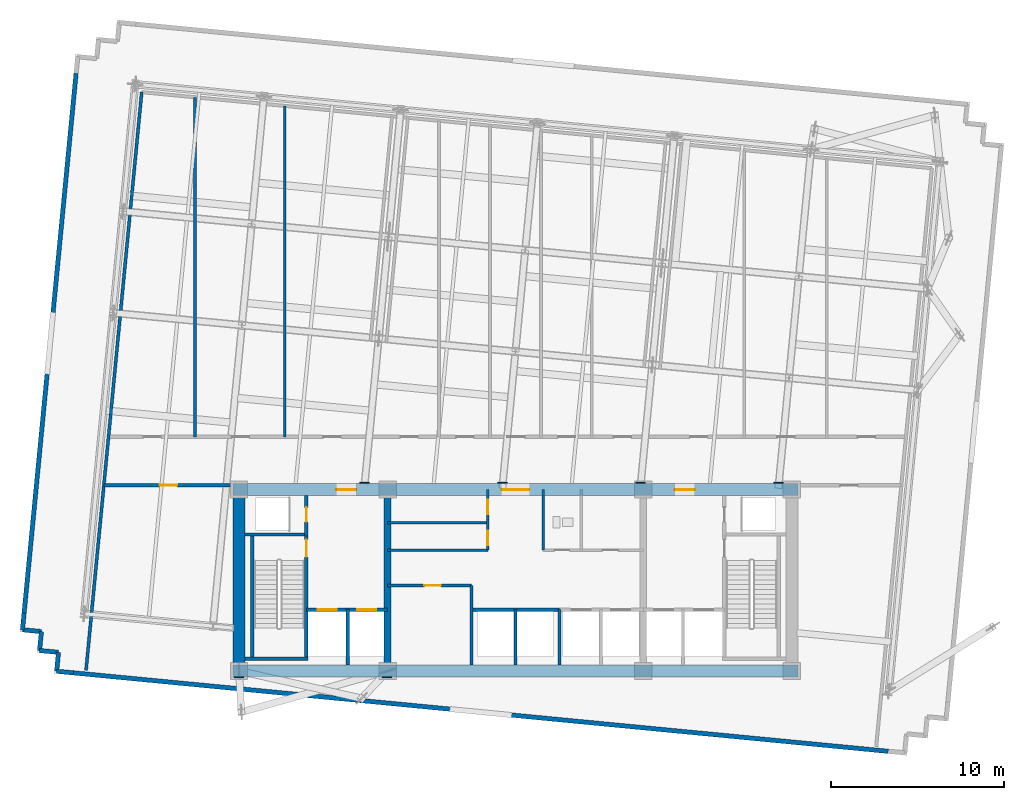
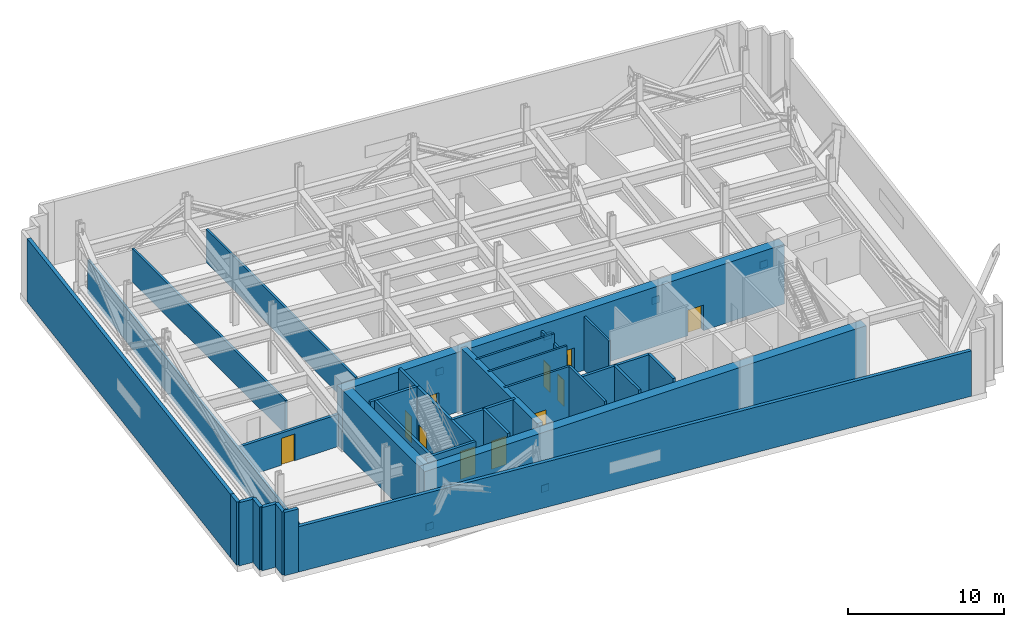
# One storey, part 5 of 10: 32 walls, 11 doors, 6 plates, 11 openings.
"""IFC4 building model written with IfcOpenShell, lengths in metres."""

from ifc_helpers import new_model, si_unit, direction, frame, frame_2d, origin, origin_2d, place, context, subcontext, project, spatial, rectangle, extrude, material, layer, layer_set, type_object, element, fill, save


model = new_model("IFC4")

# Units and contexts
model_context = context("Model", 3, precision=1e-05, world=origin(), true_north=direction((0.0, 1.0)))
body_context = subcontext(model_context, "Body", "Model", "MODEL_VIEW")
ifc_project = project(units=[si_unit("LENGTHUNIT", "METRE"), si_unit("AREAUNIT", "SQUARE_METRE"), si_unit("VOLUMEUNIT", "CUBIC_METRE"), si_unit("PLANEANGLEUNIT", "RADIAN"), si_unit("MASSUNIT", "GRAM", prefix="KILO")], contexts=[model_context])

# Site, building, storey
site_placement = place(None, origin())
site = spatial("IfcSite", under=ifc_project, at=site_placement, CompositionType="ELEMENT")
building_placement = place(site_placement, origin())
building = spatial("IfcBuilding", under=site, at=building_placement, Name="Solmavex Isthmus Hotel", CompositionType="ELEMENT")
storey_placement = place(building_placement, frame((0.0, 0.0, 186.300048828125)))
storey = spatial("IfcBuildingStorey", under=building, at=storey_placement, Name="L50", CompositionType="ELEMENT", Elevation=186.300048828125)

# Plates
ifc_material_1 = material(Name="Steel ASTM A572 Grade 50", Category="steel")
ifc_layer_1 = layer(ifc_material_1, 0.06005859375)
ifc_layer_set_1 = layer_set([ifc_layer_1], Name="Steel ASTM A572 Grade 50")
plate_type = type_object("IfcPlateType", Name="PLT-EMBED-60", PredefinedType="USERDEFINED", material=ifc_layer_set_1)
for number, where, z_axis, x_axis, name in (
    (1, (-8.749755859375, -2.1142578125, 2.77685546875), (0.0, 0.0, 1.0), (1.0, 0.0, 0.0), "Outrigger Strut Core Cast-In Embedment Stiffener Plate 071"),
    (2, (-0.7568359375, -2.1142578125, 2.77685546875), (0.0, 0.0, 1.0), (1.0, 0.0, 0.0), "Outrigger Strut Core Cast-In Embedment Stiffener Plate 072"),
    (3, (7.23583984375, -2.1142578125, 2.77685546875), (0.0, 0.0, 1.0), (1.0, 0.0, 0.0), "Outrigger Strut Core Cast-In Embedment Stiffener Plate 073"),
    (4, (15.228759765625, -2.1142578125, 2.77685546875), (0.0, 0.0, 1.0), (1.0, 0.0, 0.0), "Outrigger Strut Core Cast-In Embedment Stiffener Plate 074"),
    (5, (-15.999267578125, -13.36572265625, 0.02490234375), (0.0, 0.0, 1.0), (1.0, 0.0, 0.0), "Outrigger Strut Core Cast-In Embedment Stiffener Plate 106"),
    (6, (-7.43017578125, -13.3583984375, 0.02490234375), (0.0, 0.0, 1.0), (1.0, 0.0, 0.0), "Outrigger Strut Core Cast-In Embedment Stiffener Plate 107"),
):
    element("IfcPlate", number, at=place(storey_placement, frame(where, z_axis=z_axis, x_axis=x_axis)), inside=storey, type_object=plate_type, Name=name, ObjectType="STIFFENER_PLATE", PredefinedType="USERDEFINED", context=body_context, shape_type="SweptSolid", body=[
        extrude(rectangle(XDim=0.550048828125, YDim=0.06005859375, at=origin_2d()), origin(), (0.0, 0.0, 1.0), 0.550048828125),
    ])

# Walls
ifc_material_2 = material(Name="Precast Concrete C40/50", Category="concrete")
ifc_layer_2 = layer(ifc_material_2, 0.260009765625)
ifc_layer_set_2 = layer_set([ifc_layer_2], Name="Precast Concrete C40/50")
wall_type_1 = type_object("IfcWallType", Name="EW-CRN-260", PredefinedType="STANDARD", material=ifc_layer_set_2)
wall_1_placement = place(storey_placement, frame((-25.599609375, -13.111572265625, 0.0), z_axis=(0.0, 0.0, 1.0), x_axis=(-0.995389636812, 0.095913872439, 0.0)))
element("IfcWall", 7, at=wall_1_placement, inside=storey, type_object=wall_type_1, Name="Plant Acoustic Louvre Enclosure Wall L50-01", PredefinedType="STANDARD", context=body_context, shape_type="SweptSolid", body=[
    extrude(rectangle(XDim=0.9697265625, YDim=0.260009765625, at=frame_2d((0.48486328125, 0.0))), origin(), (0.0, 0.0, 1.0), 4.949951171875),
])
wall_2_placement = place(storey_placement, frame((-26.56494140625, -13.0185546875, 0.0), z_axis=(0.0, 0.0, 1.0), x_axis=(0.095657429048, 0.995414313875, 0.0)))
element("IfcWall", 8, at=wall_2_placement, inside=storey, type_object=wall_type_1, Name="Plant Acoustic Louvre Enclosure Wall L50-02", PredefinedType="STANDARD", context=body_context, shape_type="SweptSolid", body=[
    extrude(rectangle(XDim=1.10009765625, YDim=0.260009765625, at=frame_2d((0.550048828125, 0.0))), origin(), (0.0, 0.0, 1.0), 4.949951171875),
])
wall_3_placement = place(storey_placement, frame((-26.459716796875, -11.923583984375, 0.0), z_axis=(0.0, 0.0, 1.0), x_axis=(-0.995412282347, 0.095678566836, 0.0)))
element("IfcWall", 9, at=wall_3_placement, inside=storey, type_object=wall_type_1, Name="Plant Acoustic Louvre Enclosure Wall L50-03", PredefinedType="STANDARD", context=body_context, shape_type="SweptSolid", body=[
    extrude(rectangle(XDim=1.099853515625, YDim=0.260009765625, at=frame_2d((0.5498046875, 0.0))), origin(), (0.0, 0.0, 1.0), 4.949951171875),
])
wall_4_placement = place(storey_placement, frame((-27.554443359375, -11.818359375, 0.0), z_axis=(0.0, 0.0, 1.0), x_axis=(0.095657429048, 0.995414313875, 0.0)))
element("IfcWall", 10, at=wall_4_placement, inside=storey, type_object=wall_type_1, Name="Plant Acoustic Louvre Enclosure Wall L50-04", PredefinedType="STANDARD", context=body_context, shape_type="SweptSolid", body=[
    extrude(rectangle(XDim=1.10009765625, YDim=0.260009765625, at=frame_2d((0.550048828125, 0.0))), origin(), (0.0, 0.0, 1.0), 4.949951171875),
])
wall_5_placement = place(storey_placement, frame((-27.44921875, -10.723388671875, 0.0), z_axis=(0.0, 0.0, 1.0), x_axis=(-0.995391116058, 0.095898519656, 0.0)))
element("IfcWall", 11, at=wall_5_placement, inside=storey, type_object=wall_type_1, Name="Plant Acoustic Louvre Enclosure Wall L50-05", PredefinedType="STANDARD", context=body_context, shape_type="SweptSolid", body=[
    extrude(rectangle(XDim=1.099853515625, YDim=0.260009765625, at=frame_2d((0.5498046875, 0.0))), origin(), (0.0, 0.0, 1.0), 4.949951171875),
])
wall_6_placement = place(storey_placement, frame((-28.5439453125, -10.617919921875, 0.0), z_axis=(0.0, 0.0, 1.0), x_axis=(0.095640469916, 0.99541594347, 0.0)))
element("IfcWall", 12, at=wall_6_placement, inside=storey, type_object=wall_type_1, Name="Plant Acoustic Louvre Enclosure Wall L50-06", PredefinedType="STANDARD", context=body_context, shape_type="SweptSolid", body=[
    extrude(rectangle(XDim=0.969970703125, YDim=0.260009765625, at=frame_2d((0.48486328125, 0.0))), origin(), (0.0, 0.0, 1.0), 4.949951171875),
])
wall_7_placement = place(storey_placement, frame((-28.451171875, -9.65234375, 0.0), z_axis=(0.0, 0.0, 1.0), x_axis=(0.095852558576, 0.995395542995, 0.0)))
element("IfcWall", 13, at=wall_7_placement, inside=storey, type_object=wall_type_1, Name="Plant Acoustic Louvre Enclosure Wall L50-07", PredefinedType="STANDARD", context=body_context, shape_type="SweptSolid", body=[
    extrude(rectangle(XDim=31.39990234375, YDim=0.260009765625, at=frame_2d((15.699951171875, 0.0))), origin(), (0.0, 0.0, 1.0), 4.949951171875),
])
wall_8_placement = place(storey_placement, frame((21.582275390625, -17.65478515625, 0.0), z_axis=(0.0, 0.0, 1.0), x_axis=(-0.995395968681, 0.095848137874, 0.0)))
element("IfcWall", 14, at=wall_8_placement, inside=storey, type_object=wall_type_1, Name="Plant Acoustic Louvre Enclosure Wall L50-28", PredefinedType="STANDARD", context=body_context, shape_type="SweptSolid", body=[
    extrude(rectangle(XDim=47.400146484375, YDim=0.260009765625, at=frame_2d((23.7001953125, 0.0))), origin(), (0.0, 0.0, 1.0), 3.554931640625),
])

# Wall, opening, door
ifc_material_3 = material(Name="Gypsum plasterboard lining", Category="gypsum")
ifc_layer_3 = layer(ifc_material_3, 0.159912109375)
ifc_layer_set_3 = layer_set([ifc_layer_3], Name="Gypsum plasterboard lining")
wall_type_2 = type_object("IfcWallType", Name="IW-COMP-160", PredefinedType="PARTITIONING", material=ifc_layer_set_3)
wall_9_placement = place(storey_placement, frame((-7.39990234375, -8.050048828125, 0.0), z_axis=(0.0, 0.0, 1.0), x_axis=(1.0, 0.0, 0.0)))
wall_9 = element("IfcWall", 15, at=wall_9_placement, inside=storey, type_object=wall_type_2, Name="Interior Partition Wall W-L50-REC-PLL-N", PredefinedType="PARTITIONING", context=body_context, shape_type="SweptSolid", body=[
    extrude(rectangle(XDim=4.849853515625, YDim=0.159912109375, at=frame_2d((2.4248046875, 0.0))), origin(), (0.0, 0.0, 1.0), 4.949951171875),
])
opening_1_placement = place(wall_9_placement, frame((2.125, 0.0, 0.0)))
opening_1 = element("IfcOpeningElement", 16, at=opening_1_placement, cuts=wall_9, Name="Opening ID-C095", PredefinedType="OPENING", context=body_context, shape_type="SweptSolid", body=[
    extrude(rectangle(XDim=0.949951171875, YDim=2.14990234375, at=frame_2d((0.47509765625, 1.074951171875))), frame((0.0, 0.08984375, 0.0), z_axis=(0.0, -1.0, 0.0), x_axis=(1.0, 0.0, 0.0)), (0.0, 0.0, 1.0), 0.179931640625),
])
ifc_material_4 = material(Name="Hardwood timber", Category="wood")
door_type_1 = type_object("IfcDoorType", Name="IDR-FD60-0950", OperationType="NOTDEFINED", PredefinedType="DOOR", material=ifc_material_4)
door_1_placement = place(opening_1_placement, origin())
door_1 = element("IfcDoor", 17, at=door_1_placement, inside=storey, type_object=door_type_1, Name="Linen Reserve Door L50", OperationType="SINGLE_SWING_LEFT", OverallHeight=2.14990234375, OverallWidth=0.949951171875, PredefinedType="DOOR", context=body_context, shape_type="SweptSolid", body=[
    extrude(rectangle(XDim=0.949951171875, YDim=2.14990234375, at=frame_2d((0.47509765625, 1.074951171875))), frame((0.0, 0.02490234375, 0.0), z_axis=(0.0, -1.0, 0.0), x_axis=(1.0, 0.0, 0.0)), (0.0, 0.0, 1.0), 0.050048828125),
])
fill(opening_1, door_1)

# Walls
wall_10_placement = place(storey_placement, frame((-2.550048828125, -12.64990234375, 0.0), z_axis=(0.0, 0.0, 1.0), x_axis=(0.0, 1.0, 0.0)))
element("IfcWall", 18, at=wall_10_placement, inside=storey, type_object=wall_type_2, Name="Interior Partition Wall W-L50-REC-PLL-E", PredefinedType="PARTITIONING", context=body_context, shape_type="SweptSolid", body=[
    extrude(rectangle(XDim=4.599853515625, YDim=0.159912109375, at=frame_2d((2.2998046875, 0.0))), origin(), (0.0, 0.0, 1.0), 4.949951171875),
])
wall_11_placement = place(storey_placement, frame((-18.550048828125, 0.550048828125, 0.0), z_axis=(0.0, 0.0, 1.0), x_axis=(0.0, 1.0, 0.0)))
element("IfcWall", 19, at=wall_11_placement, inside=storey, type_object=wall_type_2, Name="Interior Partition Wall W-L50-PX1", PredefinedType="PARTITIONING", context=body_context, shape_type="SweptSolid", body=[
    extrude(rectangle(XDim=19.64599609375, YDim=0.159912109375, at=frame_2d((9.822998046875, 0.0))), origin(), (0.0, 0.0, 1.0), 2.615966796875),
])
wall_12_placement = place(storey_placement, frame((-13.360107421875, 0.550048828125, 0.0), z_axis=(0.0, 0.0, 1.0), x_axis=(0.0, 1.0, 0.0)))
element("IfcWall", 20, at=wall_12_placement, inside=storey, type_object=wall_type_2, Name="Interior Partition Wall W-L50-PX2", PredefinedType="PARTITIONING", context=body_context, shape_type="SweptSolid", body=[
    extrude(rectangle(XDim=19.146240234375, YDim=0.159912109375, at=frame_2d((9.5732421875, 0.0))), origin(), (0.0, 0.0, 1.0), 2.615966796875),
])
ifc_layer_4 = layer(ifc_material_3, 0.14990234375)
ifc_layer_set_4 = layer_set([ifc_layer_4], Name="Gypsum plasterboard lining")
wall_type_3 = type_object("IfcWallType", Name="IW-CORR-150", PredefinedType="PARTITIONING", material=ifc_layer_set_4)
wall_13_placement = place(storey_placement, frame((-7.39990234375, -6.0, 0.0), z_axis=(0.0, 0.0, 1.0), x_axis=(1.0, 0.0, 0.0)))
element("IfcWall", 21, at=wall_13_placement, inside=storey, type_object=wall_type_3, Name="Interior Partition Wall W-L50-BOH-WS", PredefinedType="PARTITIONING", context=body_context, shape_type="SweptSolid", body=[
    extrude(rectangle(XDim=5.7998046875, YDim=0.14990234375, at=frame_2d((2.89990234375, 0.0))), origin(), (0.0, 0.0, 1.0), 4.949951171875),
])

# Wall, openings, doors
wall_14_placement = place(storey_placement, frame((-1.60009765625, -6.0, 0.0), z_axis=(0.0, 0.0, 1.0), x_axis=(0.0, 1.0, 0.0)))
wall_14 = element("IfcWall", 22, at=wall_14_placement, inside=storey, type_object=wall_type_3, Name="Interior Partition Wall W-L50-BOH-WE", PredefinedType="PARTITIONING", context=body_context, shape_type="SweptSolid", body=[
    extrude(rectangle(XDim=3.5, YDim=0.14990234375, at=frame_2d((1.75, 0.0))), origin(), (0.0, 0.0, 1.0), 4.195068359375),
])
opening_2_placement = place(wall_14_placement, frame((0.27490234375, 0.0, 0.0)))
opening_2 = element("IfcOpeningElement", 23, at=opening_2_placement, cuts=wall_14, Name="Opening ID-R085", PredefinedType="OPENING", context=body_context, shape_type="SweptSolid", body=[
    extrude(rectangle(XDim=0.85009765625, YDim=2.050048828125, at=frame_2d((0.425048828125, 1.02490234375))), frame((0.0, 0.0849609375, 0.0), z_axis=(0.0, -1.0, 0.0), x_axis=(1.0, 0.0, 0.0)), (0.0, 0.0, 1.0), 0.169921875),
])
opening_3_placement = place(wall_14_placement, frame((2.074951171875, 0.0, 0.0)))
opening_3 = element("IfcOpeningElement", 24, at=opening_3_placement, cuts=wall_14, Name="Opening ID-R085", PredefinedType="OPENING", context=body_context, shape_type="SweptSolid", body=[
    extrude(rectangle(XDim=0.85009765625, YDim=2.050048828125, at=frame_2d((0.425048828125, 1.02490234375))), frame((0.0, 0.0849609375, 0.0), z_axis=(0.0, -1.0, 0.0), x_axis=(1.0, 0.0, 0.0)), (0.0, 0.0, 1.0), 0.169921875),
])
ifc_material_5 = material(Name="Steel ASTM A500 Grade C", Category="steel")
door_type_2 = type_object("IfcDoorType", Name="IDR-FD60-0850", OperationType="NOTDEFINED", PredefinedType="DOOR", material=ifc_material_5)
door_2_placement = place(opening_2_placement, origin())
door_2 = element("IfcDoor", 25, at=door_2_placement, inside=storey, type_object=door_type_2, Name="Housekeeping Door L50", OperationType="SINGLE_SWING_LEFT", OverallHeight=2.050048828125, OverallWidth=0.85009765625, PredefinedType="DOOR", context=body_context, shape_type="SweptSolid", body=[
    extrude(rectangle(XDim=0.85009765625, YDim=2.050048828125, at=frame_2d((0.425048828125, 1.02490234375))), frame((0.0, 0.02490234375, 0.0), z_axis=(0.0, -1.0, 0.0), x_axis=(1.0, 0.0, 0.0)), (0.0, 0.0, 1.0), 0.050048828125),
])
fill(opening_2, door_2)
door_3_placement = place(opening_3_placement, origin())
door_3 = element("IfcDoor", 26, at=door_3_placement, inside=storey, type_object=door_type_2, Name="Valet Store Door L50", OperationType="SINGLE_SWING_RIGHT", OverallHeight=2.050048828125, OverallWidth=0.85009765625, PredefinedType="DOOR", context=body_context, shape_type="SweptSolid", body=[
    extrude(rectangle(XDim=0.85009765625, YDim=2.050048828125, at=frame_2d((0.425048828125, 1.02490234375))), frame((0.0, 0.02490234375, 0.0), z_axis=(0.0, -1.0, 0.0), x_axis=(1.0, 0.0, 0.0)), (0.0, 0.0, 1.0), 0.050048828125),
])
fill(opening_3, door_3)

# Walls
wall_15_placement = place(storey_placement, frame((1.60009765625, -6.0, 0.0), z_axis=(0.0, 0.0, 1.0), x_axis=(0.0, 1.0, 0.0)))
element("IfcWall", 27, at=wall_15_placement, inside=storey, type_object=wall_type_3, Name="Interior Partition Wall W-L50-BOH-EW", PredefinedType="PARTITIONING", context=body_context, shape_type="SweptSolid", body=[
    extrude(rectangle(XDim=3.5, YDim=0.14990234375, at=frame_2d((1.75, 0.0))), origin(), (0.0, 0.0, 1.0), 4.195068359375),
])
ifc_layer_5 = layer(ifc_material_3, 0.1201171875)
ifc_layer_set_5 = layer_set([ifc_layer_5], Name="Gypsum plasterboard lining")
wall_type_4 = type_object("IfcWallType", Name="IW-PART-120", PredefinedType="PARTITIONING", material=ifc_layer_set_5)
wall_16_placement = place(storey_placement, frame((-7.39990234375, -4.425048828125, 0.0), z_axis=(0.0, 0.0, 1.0), x_axis=(1.0, 0.0, 0.0)))
element("IfcWall", 28, at=wall_16_placement, inside=storey, type_object=wall_type_4, Name="Interior Partition Wall W-L50-BOH-WH3", PredefinedType="PARTITIONING", context=body_context, shape_type="SweptSolid", body=[
    extrude(rectangle(XDim=5.7998046875, YDim=0.14990234375, at=frame_2d((2.89990234375, 0.0))), origin(), (0.0, 0.0, 1.0), 4.949951171875),
])
ifc_material_6 = material(Name="Concrete C40/50", Category="concrete")
ifc_layer_6 = layer(ifc_material_6, 0.179931640625)
ifc_layer_set_6 = layer_set([ifc_layer_6], Name="Concrete C40/50")
wall_type_5 = type_object("IfcWallType", Name="IW-SHAFT-180", PredefinedType="PARTITIONING", material=ifc_layer_set_6)
wall_17_placement = place(storey_placement, frame((0.0, -12.64990234375, 0.0), z_axis=(0.0, 0.0, 1.0), x_axis=(0.0, 1.0, 0.0)))
element("IfcWall", 29, at=wall_17_placement, inside=storey, type_object=wall_type_5, Name="Interior Partition Wall W-L50-SH-PLM-M", PredefinedType="PARTITIONING", context=body_context, shape_type="SweptSolid", body=[
    extrude(rectangle(XDim=3.199951171875, YDim=0.179931640625, at=frame_2d((1.60009765625, 0.0))), origin(), (0.0, 0.0, 1.0), 4.949951171875),
])
wall_18_placement = place(storey_placement, frame((-24.86181640625, -12.961669921875, 0.0), z_axis=(0.0, 0.0, 1.0), x_axis=(0.095848105717, 0.995395971777, 0.0)))
element("IfcWall", 30, at=wall_18_placement, inside=storey, type_object=wall_type_5, Name="Interior Partition Wall W-L50-BTW", PredefinedType="PARTITIONING", context=body_context, shape_type="SweptSolid", body=[
    extrude(rectangle(XDim=33.630126953125, YDim=0.179931640625, at=frame_2d((16.81494140625, 0.0))), origin(), (0.0, 0.0, 1.0), 2.615966796875),
])

# Wall, opening, door
ifc_layer_7 = layer(ifc_material_6, 0.199951171875)
ifc_layer_set_7 = layer_set([ifc_layer_7], Name="Concrete C40/50")
wall_type_6 = type_object("IfcWallType", Name="IW-SHAFT-200", PredefinedType="PARTITIONING", material=ifc_layer_set_7)
wall_19_placement = place(storey_placement, frame((-12.10009765625, -5.199951171875, 0.0), z_axis=(0.0, 0.0, 1.0), x_axis=(0.0, 1.0, 0.0)))
wall_19 = element("IfcWall", 31, at=wall_19_placement, inside=storey, type_object=wall_type_6, Name="Interior Partition Wall W-L50-RSW-E", PredefinedType="PARTITIONING", context=body_context, shape_type="SweptSolid", body=[
    extrude(rectangle(XDim=2.349853515625, YDim=0.199951171875, at=frame_2d((1.1748046875, 0.0))), origin(), (0.0, 0.0, 1.0), 4.949951171875),
])
opening_4_placement = place(wall_19_placement, frame((0.824951171875, 0.0, 0.0)))
opening_4 = element("IfcOpeningElement", 32, at=opening_4_placement, cuts=wall_19, Name="Opening ID-R085", PredefinedType="OPENING", context=body_context, shape_type="SweptSolid", body=[
    extrude(rectangle(XDim=0.85009765625, YDim=2.050048828125, at=frame_2d((0.425048828125, 1.02490234375))), frame((0.0, 0.10986328125, 0.0), z_axis=(0.0, -1.0, 0.0), x_axis=(1.0, 0.0, 0.0)), (0.0, 0.0, 1.0), 0.219970703125),
])
door_4_placement = place(opening_4_placement, origin())
door_4 = element("IfcDoor", 33, at=door_4_placement, inside=storey, type_object=door_type_2, Name="Electrical Riser Door L50", OperationType="SINGLE_SWING_RIGHT", OverallHeight=2.050048828125, OverallWidth=0.85009765625, PredefinedType="DOOR", context=body_context, shape_type="SweptSolid", body=[
    extrude(rectangle(XDim=0.85009765625, YDim=2.050048828125, at=frame_2d((0.425048828125, 1.02490234375))), frame((0.0, 0.02490234375, 0.0), z_axis=(0.0, -1.0, 0.0), x_axis=(1.0, 0.0, 0.0)), (0.0, 0.0, 1.0), 0.050048828125),
])
fill(opening_4, door_4)

# Wall, openings, doors
wall_20_placement = place(storey_placement, frame((-12.10009765625, -9.449951171875, 0.0), z_axis=(0.0, 0.0, 1.0), x_axis=(1.0, 0.0, 0.0)))
wall_20 = element("IfcWall", 34, at=wall_20_placement, inside=storey, type_object=wall_type_6, Name="Interior Partition Wall W-L50-FFLW-S", PredefinedType="PARTITIONING", context=body_context, shape_type="SweptSolid", body=[
    extrude(rectangle(XDim=4.7001953125, YDim=0.199951171875, at=frame_2d((2.35009765625, 0.0))), origin(), (0.0, 0.0, 1.0), 4.949951171875),
])
opening_5_placement = place(wall_20_placement, frame((0.64990234375, 0.0, 0.0)))
opening_5 = element("IfcOpeningElement", 35, at=opening_5_placement, cuts=wall_20, Name="Opening LD-FF", PredefinedType="OPENING", context=body_context, shape_type="SweptSolid", body=[
    extrude(rectangle(XDim=1.10009765625, YDim=2.199951171875, at=frame_2d((0.550048828125, 1.10009765625))), frame((0.0, 0.10986328125, 0.0), z_axis=(0.0, -1.0, 0.0), x_axis=(1.0, 0.0, 0.0)), (0.0, 0.0, 1.0), 0.219970703125),
])
opening_6_placement = place(wall_20_placement, frame((2.949951171875, 0.0, 0.0)))
opening_6 = element("IfcOpeningElement", 36, at=opening_6_placement, cuts=wall_20, Name="Opening LD-SV", PredefinedType="OPENING", context=body_context, shape_type="SweptSolid", body=[
    extrude(rectangle(XDim=1.10009765625, YDim=2.199951171875, at=frame_2d((0.550048828125, 1.10009765625))), frame((0.0, 0.10986328125, 0.0), z_axis=(0.0, -1.0, 0.0), x_axis=(1.0, 0.0, 0.0)), (0.0, 0.0, 1.0), 0.219970703125),
])
ifc_material_7 = material(Name="Stainless steel 316", Category="steel")
door_type_3 = type_object("IfcDoorType", Name="LDR-FF-1100", OperationType="NOTDEFINED", PredefinedType="DOOR", material=ifc_material_7)
door_5_placement = place(opening_5_placement, origin())
door_5 = element("IfcDoor", 37, at=door_5_placement, inside=storey, type_object=door_type_3, Name="Lift Landing Door FFL-1 L50", OperationType="SLIDING_TO_LEFT", OverallHeight=2.199951171875, OverallWidth=1.10009765625, PredefinedType="DOOR", context=body_context, shape_type="SweptSolid", body=[
    extrude(rectangle(XDim=1.10009765625, YDim=2.199951171875, at=frame_2d((0.550048828125, 1.10009765625))), frame((0.0, 0.02490234375, 0.0), z_axis=(0.0, -1.0, 0.0), x_axis=(1.0, 0.0, 0.0)), (0.0, 0.0, 1.0), 0.050048828125),
])
fill(opening_5, door_5)
door_type_4 = type_object("IfcDoorType", Name="LDR-SV-1100", OperationType="NOTDEFINED", PredefinedType="DOOR", material=ifc_material_7)
door_6_placement = place(opening_6_placement, origin())
door_6 = element("IfcDoor", 38, at=door_6_placement, inside=storey, type_object=door_type_4, Name="Lift Landing Door SVL-1 L50", OperationType="SLIDING_TO_RIGHT", OverallHeight=2.199951171875, OverallWidth=1.10009765625, PredefinedType="DOOR", context=body_context, shape_type="SweptSolid", body=[
    extrude(rectangle(XDim=1.10009765625, YDim=2.199951171875, at=frame_2d((0.550048828125, 1.10009765625))), frame((0.0, 0.02490234375, 0.0), z_axis=(0.0, -1.0, 0.0), x_axis=(1.0, 0.0, 0.0)), (0.0, 0.0, 1.0), 0.050048828125),
])
fill(opening_6, door_6)

# Walls
wall_21_placement = place(storey_placement, frame((-9.699951171875, -12.64990234375, 0.0), z_axis=(0.0, 0.0, 1.0), x_axis=(0.0, 1.0, 0.0)))
element("IfcWall", 39, at=wall_21_placement, inside=storey, type_object=wall_type_6, Name="Interior Partition Wall W-L50-FFLW-M", PredefinedType="PARTITIONING", context=body_context, shape_type="SweptSolid", body=[
    extrude(rectangle(XDim=3.199951171875, YDim=0.199951171875, at=frame_2d((1.60009765625, 0.0))), origin(), (0.0, 0.0, 1.0), 4.949951171875),
])
wall_22_placement = place(storey_placement, frame((-2.550048828125, -9.449951171875, 0.0), z_axis=(0.0, 0.0, 1.0), x_axis=(1.0, 0.0, 0.0)))
element("IfcWall", 40, at=wall_22_placement, inside=storey, type_object=wall_type_6, Name="Interior Partition Wall W-L50-SH-PLM", PredefinedType="PARTITIONING", context=body_context, shape_type="SweptSolid", body=[
    extrude(rectangle(XDim=5.10009765625, YDim=0.199951171875, at=frame_2d((2.550048828125, 0.0))), origin(), (0.0, 0.0, 1.0), 4.949951171875),
])
wall_23_placement = place(storey_placement, frame((2.550048828125, -12.64990234375, 0.0), z_axis=(0.0, 0.0, 1.0), x_axis=(0.0, 1.0, 0.0)))
element("IfcWall", 41, at=wall_23_placement, inside=storey, type_object=wall_type_6, Name="Interior Partition Wall W-L50-SH-PLM-E", PredefinedType="PARTITIONING", context=body_context, shape_type="SweptSolid", body=[
    extrude(rectangle(XDim=3.199951171875, YDim=0.199951171875, at=frame_2d((1.60009765625, 0.0))), origin(), (0.0, 0.0, 1.0), 4.949951171875),
])

# Wall, opening, door
wall_24_placement = place(storey_placement, frame((-23.810302734375, -2.25, 0.0), z_axis=(0.0, 0.0, 1.0), x_axis=(1.0, 0.0, 0.0)))
wall_24 = element("IfcWall", 42, at=wall_24_placement, inside=storey, type_object=wall_type_6, Name="Interior Partition Wall W-L50-PSW", PredefinedType="PARTITIONING", context=body_context, shape_type="SweptSolid", body=[
    extrude(rectangle(XDim=7.460205078125, YDim=0.199951171875, at=frame_2d((3.72998046875, 0.0))), origin(), (0.0, 0.0, 1.0), 2.5185546875),
])
opening_7_placement = place(wall_24_placement, frame((3.215087890625, 0.0, 0.0)))
opening_7 = element("IfcOpeningElement", 43, at=opening_7_placement, cuts=wall_24, Name="Opening ID-F100", PredefinedType="OPENING", context=body_context, shape_type="SweptSolid", body=[
    extrude(rectangle(XDim=1.0, YDim=2.10009765625, at=frame_2d((0.5, 1.050048828125))), frame((0.0, 0.10986328125, 0.0), z_axis=(0.0, -1.0, 0.0), x_axis=(1.0, 0.0, 0.0)), (0.0, 0.0, 1.0), 0.219970703125),
])
door_type_5 = type_object("IfcDoorType", Name="IDR-FD90-1000", OperationType="NOTDEFINED", PredefinedType="DOOR", material=ifc_material_5)
door_7_placement = place(opening_7_placement, frame((1.0, 0.0, 0.0), z_axis=(0.0, 0.0, 1.0), x_axis=(-1.0, 0.0, 0.0)))
door_7 = element("IfcDoor", 44, at=door_7_placement, inside=storey, type_object=door_type_5, Name="Domestic Water Booster Plant Room Door L50", OperationType="SINGLE_SWING_LEFT", OverallHeight=2.10009765625, OverallWidth=1.0, PredefinedType="DOOR", context=body_context, shape_type="SweptSolid", body=[
    extrude(rectangle(XDim=1.0, YDim=2.10009765625, at=frame_2d((0.5, 1.050048828125))), frame((0.0, 0.02490234375, 0.0), z_axis=(0.0, -1.0, 0.0), x_axis=(1.0, 0.0, 0.0)), (0.0, 0.0, 1.0), 0.050048828125),
])
fill(opening_7, door_7)

# Walls
ifc_material_8 = material(Name="Concrete C60/75", Category="concrete")
ifc_layer_8 = layer(ifc_material_8, 0.39990234375)
ifc_layer_set_8 = layer_set([ifc_layer_8], Name="Concrete C60/75")
wall_type_7 = type_object("IfcWallType", Name="WALL-CW-400M", PredefinedType="SHEAR", material=ifc_layer_set_8)
wall_25_placement = place(storey_placement, frame((-7.39990234375, -12.64990234375, 0.0), z_axis=(0.0, 0.0, 1.0), x_axis=(0.0, 1.0, 0.0)))
element("IfcWall", 45, at=wall_25_placement, inside=storey, type_object=wall_type_7, Name="Core Cross Shear Wall C1 L50", PredefinedType="SHEAR", context=body_context, shape_type="SweptSolid", body=[
    extrude(rectangle(XDim=9.7998046875, YDim=0.39990234375, at=frame_2d((4.89990234375, 0.0))), origin(), (0.0, 0.0, 1.0), 4.949951171875),
])
ifc_layer_9 = layer(ifc_material_8, 0.699951171875)
ifc_layer_set_9 = layer_set([ifc_layer_9], Name="Concrete C60/75")
wall_type_8 = type_object("IfcWallType", Name="WALL-CW-700", PredefinedType="SHEAR", material=ifc_layer_set_9)
wall_26_placement = place(storey_placement, frame((-16.35009765625, -13.0, 0.0), z_axis=(0.0, 0.0, 1.0), x_axis=(1.0, 0.0, 0.0)))
element("IfcWall", 46, at=wall_26_placement, inside=storey, type_object=wall_type_8, Name="Core Shear Wall South L50", PredefinedType="SHEAR", context=body_context, shape_type="SweptSolid", body=[
    extrude(rectangle(XDim=32.7001953125, YDim=0.699951171875, at=frame_2d((16.35009765625, 0.0))), origin(), (0.0, 0.0, 1.0), 4.669921875),
])

# Wall, openings, doors
wall_27_placement = place(storey_placement, frame((-16.35009765625, -2.5, 0.0), z_axis=(0.0, 0.0, 1.0), x_axis=(1.0, 0.0, 0.0)))
wall_27 = element("IfcWall", 47, at=wall_27_placement, inside=storey, type_object=wall_type_8, Name="Core Shear Wall North L50", PredefinedType="SHEAR", context=body_context, shape_type="SweptSolid", body=[
    extrude(rectangle(XDim=32.7001953125, YDim=0.699951171875, at=frame_2d((16.35009765625, 0.0))), origin(), (0.0, 0.0, 1.0), 4.669921875),
])
opening_8_placement = place(wall_27_placement, frame((5.97509765625, 0.0, 0.0)))
opening_8 = element("IfcOpeningElement", 48, at=opening_8_placement, cuts=wall_27, Name="Opening ID-F915", PredefinedType="OPENING", context=body_context, shape_type="SweptSolid", body=[
    extrude(rectangle(XDim=1.14990234375, YDim=2.0, at=frame_2d((0.574951171875, 1.0))), frame((0.0, 0.35986328125, 0.0), z_axis=(0.0, -1.0, 0.0), x_axis=(1.0, 0.0, 0.0)), (0.0, 0.0, 1.0), 0.719970703125),
])
opening_9_placement = place(wall_27_placement, frame((15.550048828125, 0.0, 0.0)))
opening_9 = element("IfcOpeningElement", 49, at=opening_9_placement, cuts=wall_27, Name="Opening ID-F960", PredefinedType="OPENING", context=body_context, shape_type="SweptSolid", body=[
    extrude(rectangle(XDim=1.60009765625, YDim=2.0, at=frame_2d((0.800048828125, 1.0))), frame((0.0, 0.35986328125, 0.0), z_axis=(0.0, -1.0, 0.0), x_axis=(1.0, 0.0, 0.0)), (0.0, 0.0, 1.0), 0.719970703125),
])
opening_10_placement = place(wall_27_placement, frame((25.574951171875, 0.0, 0.0)))
opening_10 = element("IfcOpeningElement", 50, at=opening_10_placement, cuts=wall_27, Name="Opening ID-F915", PredefinedType="OPENING", context=body_context, shape_type="SweptSolid", body=[
    extrude(rectangle(XDim=1.14990234375, YDim=2.0, at=frame_2d((0.574951171875, 1.0))), frame((0.0, 0.35986328125, 0.0), z_axis=(0.0, -1.0, 0.0), x_axis=(1.0, 0.0, 0.0)), (0.0, 0.0, 1.0), 0.719970703125),
])
door_type_6 = type_object("IfcDoorType", Name="IDR-FD90-1150C", OperationType="NOTDEFINED", PredefinedType="DOOR", material=ifc_material_5)
door_8_placement = place(opening_8_placement, origin())
door_8 = element("IfcDoor", 51, at=door_8_placement, inside=storey, type_object=door_type_6, Name="Firefighting Lobby West Exit Door L50", OperationType="SINGLE_SWING_LEFT", OverallHeight=2.0, OverallWidth=1.14990234375, PredefinedType="DOOR", context=body_context, shape_type="SweptSolid", body=[
    extrude(rectangle(XDim=1.14990234375, YDim=2.0, at=frame_2d((0.574951171875, 1.0))), frame((0.0, 0.02490234375, 0.0), z_axis=(0.0, -1.0, 0.0), x_axis=(1.0, 0.0, 0.0)), (0.0, 0.0, 1.0), 0.050048828125),
])
fill(opening_8, door_8)
door_9_placement = place(opening_10_placement, origin())
door_9 = element("IfcDoor", 52, at=door_9_placement, inside=storey, type_object=door_type_6, Name="Firefighting Lobby East Exit Door L50", OperationType="SINGLE_SWING_RIGHT", OverallHeight=2.0, OverallWidth=1.14990234375, PredefinedType="DOOR", context=body_context, shape_type="SweptSolid", body=[
    extrude(rectangle(XDim=1.14990234375, YDim=2.0, at=frame_2d((0.574951171875, 1.0))), frame((0.0, 0.02490234375, 0.0), z_axis=(0.0, -1.0, 0.0), x_axis=(1.0, 0.0, 0.0)), (0.0, 0.0, 1.0), 0.050048828125),
])
fill(opening_10, door_9)
door_type_7 = type_object("IfcDoorType", Name="IDR-FD90-1600C", OperationType="NOTDEFINED", PredefinedType="DOOR", material=ifc_material_5)
door_10_placement = place(opening_9_placement, origin())
door_10 = element("IfcDoor", 53, at=door_10_placement, inside=storey, type_object=door_type_7, Name="Central Lift Lobby Door L50", OperationType="DOUBLE_DOOR_SINGLE_SWING", OverallHeight=2.0, OverallWidth=1.60009765625, PredefinedType="DOOR", context=body_context, shape_type="SweptSolid", body=[
    extrude(rectangle(XDim=1.60009765625, YDim=2.0, at=frame_2d((0.800048828125, 1.0))), frame((0.0, 0.02490234375, 0.0), z_axis=(0.0, -1.0, 0.0), x_axis=(1.0, 0.0, 0.0)), (0.0, 0.0, 1.0), 0.050048828125),
])
fill(opening_9, door_10)

# Walls
wall_28_placement = place(storey_placement, frame((-16.0, -12.64990234375, 0.0), z_axis=(0.0, 0.0, 1.0), x_axis=(0.0, 1.0, 0.0)))
element("IfcWall", 54, at=wall_28_placement, inside=storey, type_object=wall_type_8, Name="Core Shear Wall West L50", PredefinedType="SHEAR", context=body_context, shape_type="SweptSolid", body=[
    extrude(rectangle(XDim=9.7998046875, YDim=0.699951171875, at=frame_2d((4.89990234375, 0.0))), origin(), (0.0, 0.0, 1.0), 4.669921875),
])
ifc_layer_10 = layer(ifc_material_6, 0.199951171875)
ifc_layer_set_10 = layer_set([ifc_layer_10], Name="Concrete C40/50")
wall_type_9 = type_object("IfcWallType", Name="WALL-SW-200", PredefinedType="SOLIDWALL", material=ifc_layer_set_10)
for number, where, z_axis, x_axis, name in (
    (55, (-15.64990234375, -12.300048828125, 0.0), (0.0, 0.0, 1.0), (1.0, 0.0, 0.0), "Stairwell Structural Wall SW-L50-ST1-S"),
    (56, (-15.64990234375, -5.10009765625, 0.0), (0.0, 0.0, 1.0), (1.0, 0.0, 0.0), "Stairwell Structural Wall SW-L50-ST1-N"),
):
    element("IfcWall", number, at=place(storey_placement, frame(where, z_axis=z_axis, x_axis=x_axis)), inside=storey, type_object=wall_type_9, Name=name, PredefinedType="SOLIDWALL", context=body_context, shape_type="SweptSolid", body=[
        extrude(rectangle(XDim=3.64990234375, YDim=0.199951171875, at=frame_2d((1.824951171875, 0.0))), origin(), (0.0, 0.0, 1.0), 4.949951171875),
    ])
wall_29_placement = place(storey_placement, frame((-15.25, -12.199951171875, 0.0), z_axis=(0.0, 0.0, 1.0), x_axis=(0.0, 1.0, 0.0)))
element("IfcWall", 57, at=wall_29_placement, inside=storey, type_object=wall_type_9, Name="Stairwell Structural Wall SW-L50-ST1-W", PredefinedType="SOLIDWALL", context=body_context, shape_type="SweptSolid", body=[
    extrude(rectangle(XDim=7.0, YDim=0.199951171875, at=frame_2d((3.5, 0.0))), origin(), (0.0, 0.0, 1.0), 4.949951171875),
])

# Wall, opening, door
wall_30_placement = place(storey_placement, frame((-12.10009765625, -12.199951171875, 0.0), z_axis=(0.0, 0.0, 1.0), x_axis=(0.0, 1.0, 0.0)))
wall_30 = element("IfcWall", 58, at=wall_30_placement, inside=storey, type_object=wall_type_9, Name="Stairwell Structural Wall SW-L50-ST1-E", PredefinedType="SOLIDWALL", context=body_context, shape_type="SweptSolid", body=[
    extrude(rectangle(XDim=7.0, YDim=0.199951171875, at=frame_2d((3.5, 0.0))), origin(), (0.0, 0.0, 1.0), 4.949951171875),
])
opening_11_placement = place(wall_30_placement, frame((5.800048828125, 0.0, 0.0)))
opening_11 = element("IfcOpeningElement", 59, at=opening_11_placement, cuts=wall_30, Name="Opening ID-F100", PredefinedType="OPENING", context=body_context, shape_type="SweptSolid", body=[
    extrude(rectangle(XDim=1.0, YDim=2.10009765625, at=frame_2d((0.5, 1.050048828125))), frame((0.0, 0.10986328125, 0.0), z_axis=(0.0, -1.0, 0.0), x_axis=(1.0, 0.0, 0.0)), (0.0, 0.0, 1.0), 0.219970703125),
])
door_11_placement = place(opening_11_placement, frame((1.0, 0.0, 0.0), z_axis=(0.0, 0.0, 1.0), x_axis=(-1.0, 0.0, 0.0)))
door_11 = element("IfcDoor", 60, at=door_11_placement, inside=storey, type_object=door_type_5, Name="Stair ST-1 Fire Door L50", OperationType="SINGLE_SWING_LEFT", OverallHeight=2.10009765625, OverallWidth=1.0, PredefinedType="DOOR", context=body_context, shape_type="SweptSolid", body=[
    extrude(rectangle(XDim=1.0, YDim=2.10009765625, at=frame_2d((0.5, 1.050048828125))), frame((0.0, 0.02490234375, 0.0), z_axis=(0.0, -1.0, 0.0), x_axis=(1.0, 0.0, 0.0)), (0.0, 0.0, 1.0), 0.050048828125),
])
fill(opening_11, door_11)

save(model, "model.ifc")
